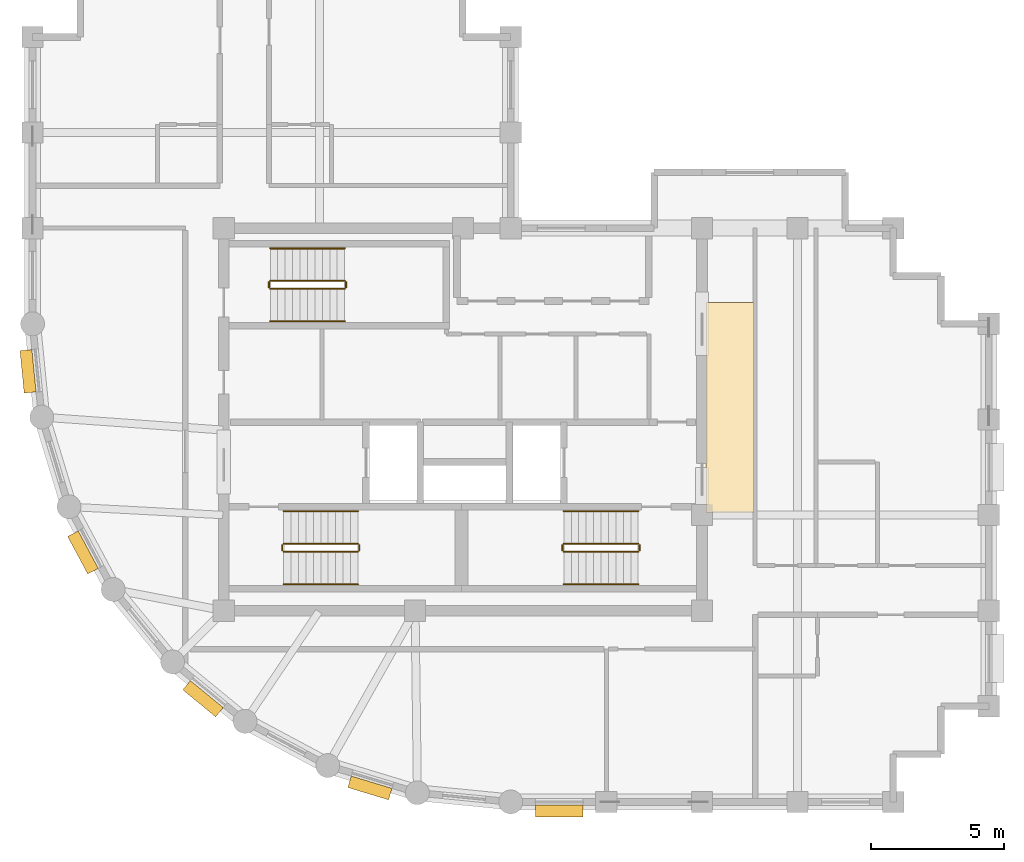
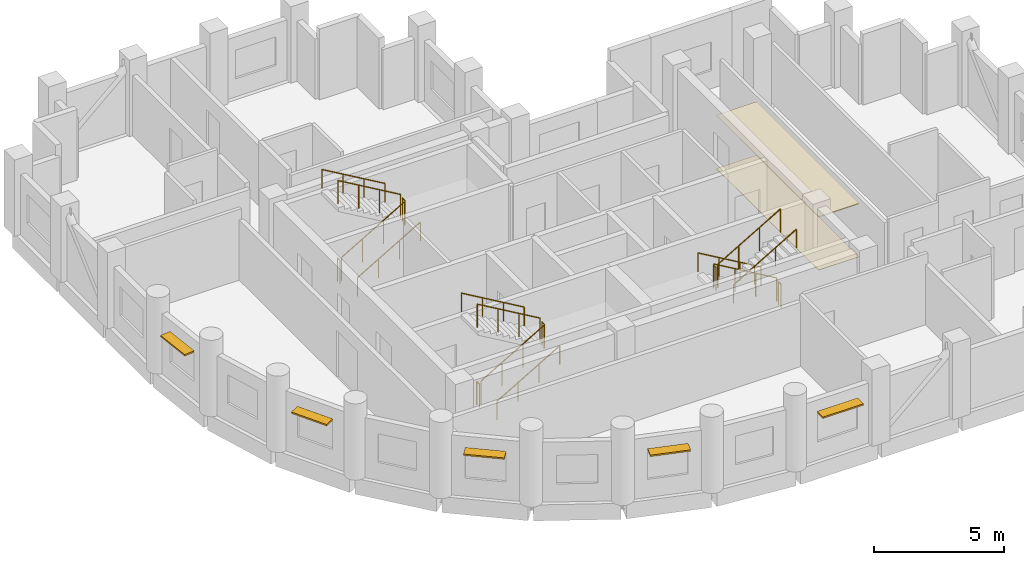
# One storey, part 6 of 7: 18 railings, 5 shading devices, 2 coverings.
"""IFC4 building model written with IfcOpenShell, lengths in metres."""

from ifc_helpers import new_model, si_unit, direction, frame, origin, origin_2d, place, context, subcontext, project, spatial, polyline, rectangle, circle, outline, extrude, material, layer, layer_set, type_object, element, save


model = new_model("IFC4")

# Units and contexts
model_context = context("Model", 3, precision=1e-05, world=origin(), true_north=direction((0.0, 1.0)))
body_context = subcontext(model_context, "Body", "Model", "MODEL_VIEW")
ifc_project = project(units=[si_unit("LENGTHUNIT", "METRE"), si_unit("AREAUNIT", "SQUARE_METRE"), si_unit("VOLUMEUNIT", "CUBIC_METRE"), si_unit("PLANEANGLEUNIT", "RADIAN"), si_unit("MASSUNIT", "GRAM", prefix="KILO")], contexts=[model_context])

# Site, building, storey
site_placement = place(None, origin())
site = spatial("IfcSite", under=ifc_project, at=site_placement, CompositionType="ELEMENT")
building_placement = place(site_placement, origin())
building = spatial("IfcBuilding", under=site, at=building_placement, Name="Solnavia Interchange Tower", CompositionType="ELEMENT")
storey_placement = place(building_placement, frame((0.0, 0.0, 288.199951171875)))
storey = spatial("IfcBuildingStorey", under=building, at=storey_placement, Name="L73", CompositionType="ELEMENT", Elevation=288.199951171875)

# Coverings
ifc_material_1 = material(Name="Perforated Mineral-Fibre & Gypsum Ceiling", Category="gypsum")
ifc_layer_1 = layer(ifc_material_1, 0.0400390625)
ifc_layer_set_1 = layer_set([ifc_layer_1], Name="Perforated Mineral-Fibre & Gypsum Ceiling")
covering_type_1 = type_object("IfcCoveringType", Name="Covering-Ceiling-Acoustic40", PredefinedType="CEILING", material=ifc_layer_set_1)
covering_1_placement = place(storey_placement, frame((0.0, 0.0, 2.5)))
element("IfcCovering", 1, at=covering_1_placement, inside=storey, type_object=covering_type_1, Name="CLG-L73-01 Circulation suspended acoustic ceiling", PredefinedType="CEILING", context=body_context, shape_type="SweptSolid", body=[
    extrude(outline(polyline([(32.550048828125, 14.5), (34.35009765625, 14.5), (34.35009765625, 22.39990234375), (32.550048828125, 22.39990234375), (32.550048828125, 14.5)])), origin(), (0.0, 0.0, 1.0), 0.0400390625),
])
ifc_material_2 = material(Name="Engineered European Oak Flooring", Category="wood")
ifc_layer_2 = layer(ifc_material_2, 0.02001953125)
ifc_layer_set_2 = layer_set([ifc_layer_2], Name="Engineered European Oak Flooring")
covering_type_2 = type_object("IfcCoveringType", Name="Covering-Flooring-Timber20", PredefinedType="FLOORING", material=ifc_layer_set_2)
covering_2_placement = place(storey_placement, origin())
element("IfcCovering", 2, at=covering_2_placement, inside=storey, type_object=covering_type_2, Name="FLR-L73-01 Circulation floor finish", PredefinedType="FLOORING", context=body_context, shape_type="SweptSolid", body=[
    extrude(outline(polyline([(32.550048828125, 14.5), (34.35009765625, 14.5), (34.35009765625, 22.39990234375), (32.550048828125, 22.39990234375), (32.550048828125, 14.5)])), origin(), (0.0, 0.0, 1.0), 0.02001953125),
])

# Railings
ifc_material_3 = material(Name="Painted Steel Balustrade", Category="steel")
railing_type_1 = type_object("IfcRailingType", Name="Railing-StairGuard-1100", PredefinedType="GUARDRAIL", material=ifc_material_3)
railing_1_placement = place(storey_placement, frame((16.64990234375, 13.02001953125, 0.16357421875)))
element("IfcRailing", 3, at=railing_1_placement, inside=storey, type_object=railing_type_1, Name="L73 ST-1 stair guard 1", PredefinedType="GUARDRAIL", context=body_context, shape_type="SweptSolid", body=[
    extrude(circle(Radius=0.02392578125, at=origin_2d()), frame((0.0, 0.0, 1.09619140625), z_axis=(0.863360870873, 0.0, 0.504586966384), x_axis=(0.0, 1.0, 0.0)), (0.0, 0.0, 1.0), 3.2431640625),
    extrude(circle(Radius=0.02099609375, at=origin_2d()), origin(), (0.0, 0.0, 1.0), 1.072021484375),
    extrude(circle(Radius=0.02099609375, at=origin_2d()), frame((0.933349609375, 0.0, 0.54541015625)), (0.0, 0.0, 1.0), 1.072021484375),
    extrude(circle(Radius=0.02099609375, at=origin_2d()), frame((1.86669921875, 0.0, 1.091064453125)), (0.0, 0.0, 1.0), 1.072021484375),
    extrude(circle(Radius=0.02099609375, at=origin_2d()), frame((2.800048828125, 0.0, 1.636474609375)), (0.0, 0.0, 1.0), 1.072021484375),
])
railing_2_placement = place(storey_placement, frame((19.5, 13.070068359375, 1.800048828125)))
element("IfcRailing", 4, at=railing_2_placement, inside=storey, type_object=railing_type_1, Name="L73 ST-1 stair guard 2", PredefinedType="GUARDRAIL", context=body_context, shape_type="SweptSolid", body=[
    extrude(circle(Radius=0.02392578125, at=origin_2d()), frame((0.0, 0.0, 1.09619140625), z_axis=(0.0, 1.0, 0.0), x_axis=(-1.0, 0.0, 0.0)), (0.0, 0.0, 1.0), 0.199951171875),
    extrude(circle(Radius=0.02099609375, at=origin_2d()), origin(), (0.0, 0.0, 1.0), 1.072021484375),
    extrude(circle(Radius=0.02099609375, at=origin_2d()), frame((0.0, 0.199951171875, 0.0)), (0.0, 0.0, 1.0), 1.072021484375),
])
railing_3_placement = place(storey_placement, frame((19.449951171875, 13.320068359375, 1.963623046875)))
element("IfcRailing", 5, at=railing_3_placement, inside=storey, type_object=railing_type_1, Name="L73 ST-1 stair guard 3", PredefinedType="GUARDRAIL", context=body_context, shape_type="SweptSolid", body=[
    extrude(circle(Radius=0.02392578125, at=origin_2d()), frame((0.0, 0.0, 1.09619140625), z_axis=(-0.863360870873, 0.0, 0.504586966384), x_axis=(0.0, -1.0, 0.0)), (0.0, 0.0, 1.0), 3.2431640625),
    extrude(circle(Radius=0.02099609375, at=origin_2d()), origin(), (0.0, 0.0, 1.0), 1.072021484375),
    extrude(circle(Radius=0.02099609375, at=origin_2d()), frame((-0.933349609375, 0.0, 0.54541015625)), (0.0, 0.0, 1.0), 1.072021484375),
    extrude(circle(Radius=0.02099609375, at=origin_2d()), frame((-1.86669921875, 0.0, 1.091064453125)), (0.0, 0.0, 1.0), 1.072021484375),
    extrude(circle(Radius=0.02099609375, at=origin_2d()), frame((-2.800048828125, 0.0, 1.636474609375)), (0.0, 0.0, 1.0), 1.072021484375),
])
railing_4_placement = place(storey_placement, frame((16.60009765625, 13.070068359375, 0.0)))
element("IfcRailing", 6, at=railing_4_placement, inside=storey, type_object=railing_type_1, Name="L73 ST-1 stair guard 4", PredefinedType="GUARDRAIL", context=body_context, shape_type="SweptSolid", body=[
    extrude(circle(Radius=0.02392578125, at=origin_2d()), frame((0.0, 0.0, 1.09619140625), z_axis=(0.0, 1.0, 0.0), x_axis=(-1.0, 0.0, 0.0)), (0.0, 0.0, 1.0), 0.199951171875),
    extrude(circle(Radius=0.02099609375, at=origin_2d()), origin(), (0.0, 0.0, 1.0), 1.072021484375),
    extrude(circle(Radius=0.02099609375, at=origin_2d()), frame((0.0, 0.199951171875, 0.0)), (0.0, 0.0, 1.0), 1.072021484375),
])
railing_5_placement = place(storey_placement, frame((30.0, 13.320068359375, 0.16357421875)))
element("IfcRailing", 7, at=railing_5_placement, inside=storey, type_object=railing_type_1, Name="L73 ST-2 stair guard 1", PredefinedType="GUARDRAIL", context=body_context, shape_type="SweptSolid", body=[
    extrude(circle(Radius=0.02392578125, at=origin_2d()), frame((0.0, 0.0, 1.09619140625), z_axis=(-0.863360870873, 0.0, 0.504586966384), x_axis=(0.0, -1.0, 0.0)), (0.0, 0.0, 1.0), 3.2431640625),
    extrude(circle(Radius=0.02099609375, at=origin_2d()), origin(), (0.0, 0.0, 1.0), 1.072021484375),
    extrude(circle(Radius=0.02099609375, at=origin_2d()), frame((-0.933349609375, 0.0, 0.54541015625)), (0.0, 0.0, 1.0), 1.072021484375),
    extrude(circle(Radius=0.02099609375, at=origin_2d()), frame((-1.86669921875, 0.0, 1.091064453125)), (0.0, 0.0, 1.0), 1.072021484375),
    extrude(circle(Radius=0.02099609375, at=origin_2d()), frame((-2.800048828125, 0.0, 1.636474609375)), (0.0, 0.0, 1.0), 1.072021484375),
])
railing_6_placement = place(storey_placement, frame((27.14990234375, 13.27001953125, 1.800048828125)))
element("IfcRailing", 8, at=railing_6_placement, inside=storey, type_object=railing_type_1, Name="L73 ST-2 stair guard 2", PredefinedType="GUARDRAIL", context=body_context, shape_type="SweptSolid", body=[
    extrude(circle(Radius=0.02392578125, at=origin_2d()), frame((0.0, 0.0, 1.09619140625), z_axis=(0.0, -1.0, 0.0), x_axis=(1.0, 0.0, 0.0)), (0.0, 0.0, 1.0), 0.199951171875),
    extrude(circle(Radius=0.02099609375, at=origin_2d()), origin(), (0.0, 0.0, 1.0), 1.072021484375),
    extrude(circle(Radius=0.02099609375, at=origin_2d()), frame((0.0, -0.199951171875, 0.0)), (0.0, 0.0, 1.0), 1.072021484375),
])
railing_7_placement = place(storey_placement, frame((27.199951171875, 13.02001953125, 1.963623046875)))
element("IfcRailing", 9, at=railing_7_placement, inside=storey, type_object=railing_type_1, Name="L73 ST-2 stair guard 3", PredefinedType="GUARDRAIL", context=body_context, shape_type="SweptSolid", body=[
    extrude(circle(Radius=0.02392578125, at=origin_2d()), frame((0.0, 0.0, 1.09619140625), z_axis=(0.863360870873, 0.0, 0.504586966384), x_axis=(0.0, 1.0, 0.0)), (0.0, 0.0, 1.0), 3.2431640625),
    extrude(circle(Radius=0.02099609375, at=origin_2d()), origin(), (0.0, 0.0, 1.0), 1.072021484375),
    extrude(circle(Radius=0.02099609375, at=origin_2d()), frame((0.933349609375, 0.0, 0.54541015625)), (0.0, 0.0, 1.0), 1.072021484375),
    extrude(circle(Radius=0.02099609375, at=origin_2d()), frame((1.86669921875, 0.0, 1.091064453125)), (0.0, 0.0, 1.0), 1.072021484375),
    extrude(circle(Radius=0.02099609375, at=origin_2d()), frame((2.800048828125, 0.0, 1.636474609375)), (0.0, 0.0, 1.0), 1.072021484375),
])
railing_8_placement = place(storey_placement, frame((30.050048828125, 13.27001953125, 0.0)))
element("IfcRailing", 10, at=railing_8_placement, inside=storey, type_object=railing_type_1, Name="L73 ST-2 stair guard 4", PredefinedType="GUARDRAIL", context=body_context, shape_type="SweptSolid", body=[
    extrude(circle(Radius=0.02392578125, at=origin_2d()), frame((0.0, 0.0, 1.09619140625), z_axis=(0.0, -1.0, 0.0), x_axis=(1.0, 0.0, 0.0)), (0.0, 0.0, 1.0), 0.199951171875),
    extrude(circle(Radius=0.02099609375, at=origin_2d()), origin(), (0.0, 0.0, 1.0), 1.072021484375),
    extrude(circle(Radius=0.02099609375, at=origin_2d()), frame((0.0, -0.199951171875, 0.0)), (0.0, 0.0, 1.0), 1.072021484375),
])
railing_9_placement = place(storey_placement, frame((16.14990234375, 22.919921875, 0.16357421875)))
element("IfcRailing", 11, at=railing_9_placement, inside=storey, type_object=railing_type_1, Name="L73 ST-3 stair guard 1", PredefinedType="GUARDRAIL", context=body_context, shape_type="SweptSolid", body=[
    extrude(circle(Radius=0.02392578125, at=origin_2d()), frame((0.0, 0.0, 1.09619140625), z_axis=(0.863360870873, 0.0, 0.504586966384), x_axis=(0.0, 1.0, 0.0)), (0.0, 0.0, 1.0), 3.2431640625),
    extrude(circle(Radius=0.02099609375, at=origin_2d()), origin(), (0.0, 0.0, 1.0), 1.072021484375),
    extrude(circle(Radius=0.02099609375, at=origin_2d()), frame((0.933349609375, 0.0, 0.54541015625)), (0.0, 0.0, 1.0), 1.072021484375),
    extrude(circle(Radius=0.02099609375, at=origin_2d()), frame((1.86669921875, 0.0, 1.091064453125)), (0.0, 0.0, 1.0), 1.072021484375),
    extrude(circle(Radius=0.02099609375, at=origin_2d()), frame((2.800048828125, 0.0, 1.636474609375)), (0.0, 0.0, 1.0), 1.072021484375),
])
railing_10_placement = place(storey_placement, frame((19.0, 22.969970703125, 1.800048828125)))
element("IfcRailing", 12, at=railing_10_placement, inside=storey, type_object=railing_type_1, Name="L73 ST-3 stair guard 2", PredefinedType="GUARDRAIL", context=body_context, shape_type="SweptSolid", body=[
    extrude(circle(Radius=0.02392578125, at=origin_2d()), frame((0.0, 0.0, 1.09619140625), z_axis=(0.0, 1.0, 0.0), x_axis=(-1.0, 0.0, 0.0)), (0.0, 0.0, 1.0), 0.199951171875),
    extrude(circle(Radius=0.02099609375, at=origin_2d()), origin(), (0.0, 0.0, 1.0), 1.072021484375),
    extrude(circle(Radius=0.02099609375, at=origin_2d()), frame((0.0, 0.199951171875, 0.0)), (0.0, 0.0, 1.0), 1.072021484375),
])
railing_11_placement = place(storey_placement, frame((18.949951171875, 23.219970703125, 1.963623046875)))
element("IfcRailing", 13, at=railing_11_placement, inside=storey, type_object=railing_type_1, Name="L73 ST-3 stair guard 3", PredefinedType="GUARDRAIL", context=body_context, shape_type="SweptSolid", body=[
    extrude(circle(Radius=0.02392578125, at=origin_2d()), frame((0.0, 0.0, 1.09619140625), z_axis=(-0.863360870873, 0.0, 0.504586966384), x_axis=(0.0, -1.0, 0.0)), (0.0, 0.0, 1.0), 3.2431640625),
    extrude(circle(Radius=0.02099609375, at=origin_2d()), origin(), (0.0, 0.0, 1.0), 1.072021484375),
    extrude(circle(Radius=0.02099609375, at=origin_2d()), frame((-0.933349609375, 0.0, 0.54541015625)), (0.0, 0.0, 1.0), 1.072021484375),
    extrude(circle(Radius=0.02099609375, at=origin_2d()), frame((-1.86669921875, 0.0, 1.091064453125)), (0.0, 0.0, 1.0), 1.072021484375),
    extrude(circle(Radius=0.02099609375, at=origin_2d()), frame((-2.800048828125, 0.0, 1.636474609375)), (0.0, 0.0, 1.0), 1.072021484375),
])
railing_12_placement = place(storey_placement, frame((16.10009765625, 22.969970703125, 0.0)))
element("IfcRailing", 14, at=railing_12_placement, inside=storey, type_object=railing_type_1, Name="L73 ST-3 stair guard 4", PredefinedType="GUARDRAIL", context=body_context, shape_type="SweptSolid", body=[
    extrude(circle(Radius=0.02392578125, at=origin_2d()), frame((0.0, 0.0, 1.09619140625), z_axis=(0.0, 1.0, 0.0), x_axis=(-1.0, 0.0, 0.0)), (0.0, 0.0, 1.0), 0.199951171875),
    extrude(circle(Radius=0.02099609375, at=origin_2d()), origin(), (0.0, 0.0, 1.0), 1.072021484375),
    extrude(circle(Radius=0.02099609375, at=origin_2d()), frame((0.0, 0.199951171875, 0.0)), (0.0, 0.0, 1.0), 1.072021484375),
])
ifc_material_4 = material(Name="Brushed Stainless Steel", Category="steel")
railing_type_2 = type_object("IfcRailingType", Name="Railing-StairHandrail-900", PredefinedType="HANDRAIL", material=ifc_material_4)
railing_13_placement = place(storey_placement, frame((16.64990234375, 11.800048828125, 0.16357421875)))
element("IfcRailing", 15, at=railing_13_placement, inside=storey, type_object=railing_type_2, Name="L73 ST-1 stair handrail 1", PredefinedType="HANDRAIL", context=body_context, shape_type="SweptSolid", body=[
    extrude(circle(Radius=0.02392578125, at=origin_2d()), frame((0.0, 0.0, 0.8759765625), z_axis=(0.863360870873, 0.0, 0.504586966384), x_axis=(0.0, 1.0, 0.0)), (0.0, 0.0, 1.0), 3.2431640625),
    extrude(circle(Radius=0.02099609375, at=origin_2d()), origin(), (0.0, 0.0, 1.0), 0.851806640625),
    extrude(circle(Radius=0.02099609375, at=origin_2d()), frame((0.933349609375, 0.0, 0.54541015625)), (0.0, 0.0, 1.0), 0.851806640625),
    extrude(circle(Radius=0.02099609375, at=origin_2d()), frame((1.86669921875, 0.0, 1.091064453125)), (0.0, 0.0, 1.0), 0.851806640625),
    extrude(circle(Radius=0.02099609375, at=origin_2d()), frame((2.800048828125, 0.0, 1.636474609375)), (0.0, 0.0, 1.0), 0.851806640625),
])
for number, where, name in (
    (16, (19.449951171875, 14.5400390625, 1.963623046875), "L73 ST-1 stair handrail 2"),
    (17, (30.0, 14.5400390625, 0.16357421875), "L73 ST-2 stair handrail 1"),
):
    element("IfcRailing", number, at=place(storey_placement, frame(where)), inside=storey, type_object=railing_type_2, Name=name, PredefinedType="HANDRAIL", context=body_context, shape_type="SweptSolid", body=[
        extrude(circle(Radius=0.02392578125, at=origin_2d()), frame((0.0, 0.0, 0.8759765625), z_axis=(-0.863360870873, 0.0, 0.504586966384), x_axis=(0.0, -1.0, 0.0)), (0.0, 0.0, 1.0), 3.2431640625),
        extrude(circle(Radius=0.02099609375, at=origin_2d()), origin(), (0.0, 0.0, 1.0), 0.851806640625),
        extrude(circle(Radius=0.02099609375, at=origin_2d()), frame((-0.933349609375, 0.0, 0.54541015625)), (0.0, 0.0, 1.0), 0.851806640625),
        extrude(circle(Radius=0.02099609375, at=origin_2d()), frame((-1.86669921875, 0.0, 1.091064453125)), (0.0, 0.0, 1.0), 0.851806640625),
        extrude(circle(Radius=0.02099609375, at=origin_2d()), frame((-2.800048828125, 0.0, 1.636474609375)), (0.0, 0.0, 1.0), 0.851806640625),
    ])
for number, where, name in (
    (18, (27.199951171875, 11.800048828125, 1.963623046875), "L73 ST-2 stair handrail 2"),
    (19, (16.14990234375, 21.699951171875, 0.16357421875), "L73 ST-3 stair handrail 1"),
):
    element("IfcRailing", number, at=place(storey_placement, frame(where)), inside=storey, type_object=railing_type_2, Name=name, PredefinedType="HANDRAIL", context=body_context, shape_type="SweptSolid", body=[
        extrude(circle(Radius=0.02392578125, at=origin_2d()), frame((0.0, 0.0, 0.8759765625), z_axis=(0.863360870873, 0.0, 0.504586966384), x_axis=(0.0, 1.0, 0.0)), (0.0, 0.0, 1.0), 3.2431640625),
        extrude(circle(Radius=0.02099609375, at=origin_2d()), origin(), (0.0, 0.0, 1.0), 0.851806640625),
        extrude(circle(Radius=0.02099609375, at=origin_2d()), frame((0.933349609375, 0.0, 0.54541015625)), (0.0, 0.0, 1.0), 0.851806640625),
        extrude(circle(Radius=0.02099609375, at=origin_2d()), frame((1.86669921875, 0.0, 1.091064453125)), (0.0, 0.0, 1.0), 0.851806640625),
        extrude(circle(Radius=0.02099609375, at=origin_2d()), frame((2.800048828125, 0.0, 1.636474609375)), (0.0, 0.0, 1.0), 0.851806640625),
    ])
railing_14_placement = place(storey_placement, frame((18.949951171875, 24.43994140625, 1.963623046875)))
element("IfcRailing", 20, at=railing_14_placement, inside=storey, type_object=railing_type_2, Name="L73 ST-3 stair handrail 2", PredefinedType="HANDRAIL", context=body_context, shape_type="SweptSolid", body=[
    extrude(circle(Radius=0.02392578125, at=origin_2d()), frame((0.0, 0.0, 0.8759765625), z_axis=(-0.863360870873, 0.0, 0.504586966384), x_axis=(0.0, -1.0, 0.0)), (0.0, 0.0, 1.0), 3.2431640625),
    extrude(circle(Radius=0.02099609375, at=origin_2d()), origin(), (0.0, 0.0, 1.0), 0.851806640625),
    extrude(circle(Radius=0.02099609375, at=origin_2d()), frame((-0.933349609375, 0.0, 0.54541015625)), (0.0, 0.0, 1.0), 0.851806640625),
    extrude(circle(Radius=0.02099609375, at=origin_2d()), frame((-1.86669921875, 0.0, 1.091064453125)), (0.0, 0.0, 1.0), 0.851806640625),
    extrude(circle(Radius=0.02099609375, at=origin_2d()), frame((-2.800048828125, 0.0, 1.636474609375)), (0.0, 0.0, 1.0), 0.851806640625),
])

# Shading devices
ifc_material_5 = material(Name="Anodised Aluminium Sunshade", Category="aluminium")
ifc_layer_3 = layer(ifc_material_5, 0.070068359375)
ifc_layer_set_3 = layer_set([ifc_layer_3], Name="Anodised Aluminium Sunshade")
shading_device_type = type_object("IfcShadingDeviceType", Name="Sunshade-Band-450", PredefinedType="JALOUSIE", material=ifc_layer_set_3)
shading_device_placement = place(storey_placement, frame((27.02490234375, 3.2548828125, 2.22509765625), z_axis=(0.0, 0.0, 1.0), x_axis=(-1.0, 0.0, 0.0)))
element("IfcShadingDevice", 21, at=shading_device_placement, inside=storey, type_object=shading_device_type, Name="SHD-L73-01 Horizontal sunshade band", PredefinedType="JALOUSIE", context=body_context, shape_type="SweptSolid", body=[
    extrude(rectangle(XDim=1.800048828125, YDim=0.449951171875, at=origin_2d()), origin(), (0.0, 0.0, 1.0), 0.070068359375),
])
for number, where, z_axis, x_axis, name in (
    (22, (7.029541015625, 19.810791015625, 2.22509765625), (0.0, 0.0, 1.0), (-0.098103986207, 0.995176169274, 0.0), "SHD-L73-41 Horizontal sunshade band"),
    (23, (9.097900390625, 12.992919921875, 2.22509765625), (0.0, 0.0, 1.0), (-0.47147369718, 0.881880123865, 0.0), "SHD-L73-43 Horizontal sunshade band"),
    (24, (13.617431640625, 7.486083984375, 2.22509765625), (0.0, 0.0, 1.0), (-0.773176510644, 0.634190888762, 0.0), "SHD-L73-45 Horizontal sunshade band"),
    (25, (19.89990234375, 4.1279296875, 2.22509765625), (0.0, 0.0, 1.0), (-0.956965664205, 0.290201167351, 0.0), "SHD-L73-47 Horizontal sunshade band"),
):
    element("IfcShadingDevice", number, at=place(storey_placement, frame(where, z_axis=z_axis, x_axis=x_axis)), inside=storey, type_object=shading_device_type, Name=name, PredefinedType="JALOUSIE", context=body_context, shape_type="SweptSolid", body=[
        extrude(rectangle(XDim=1.60009765625, YDim=0.449951171875, at=origin_2d()), origin(), (0.0, 0.0, 1.0), 0.070068359375),
    ])

save(model, "model.ifc")
